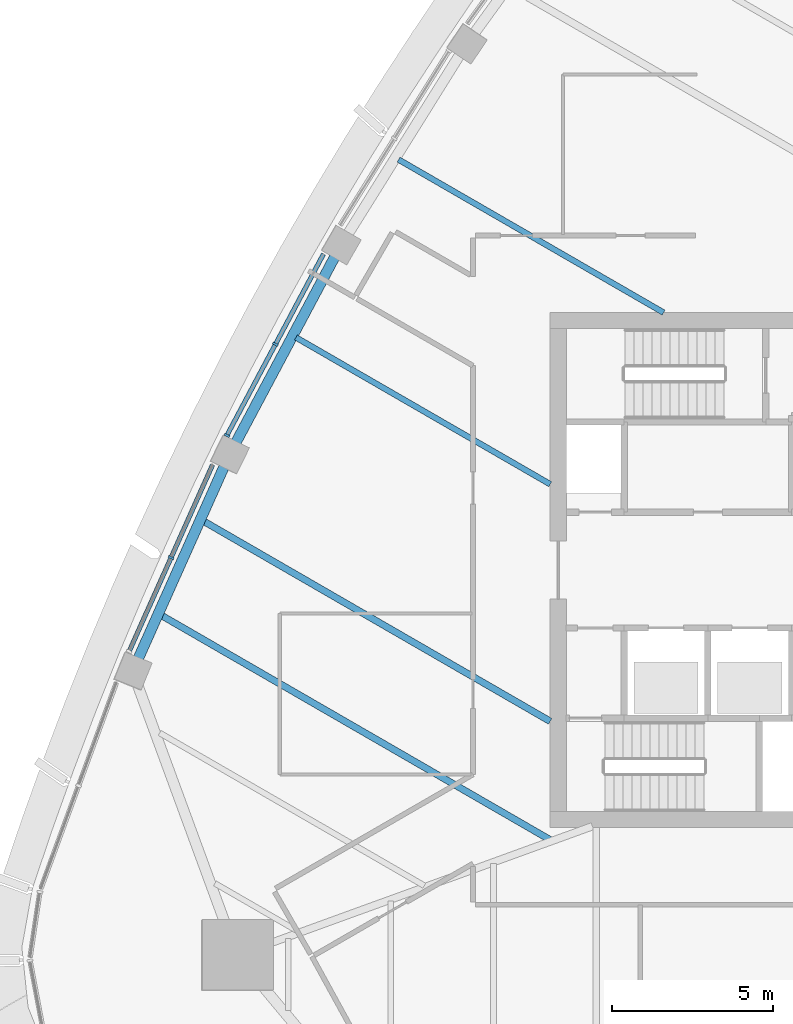
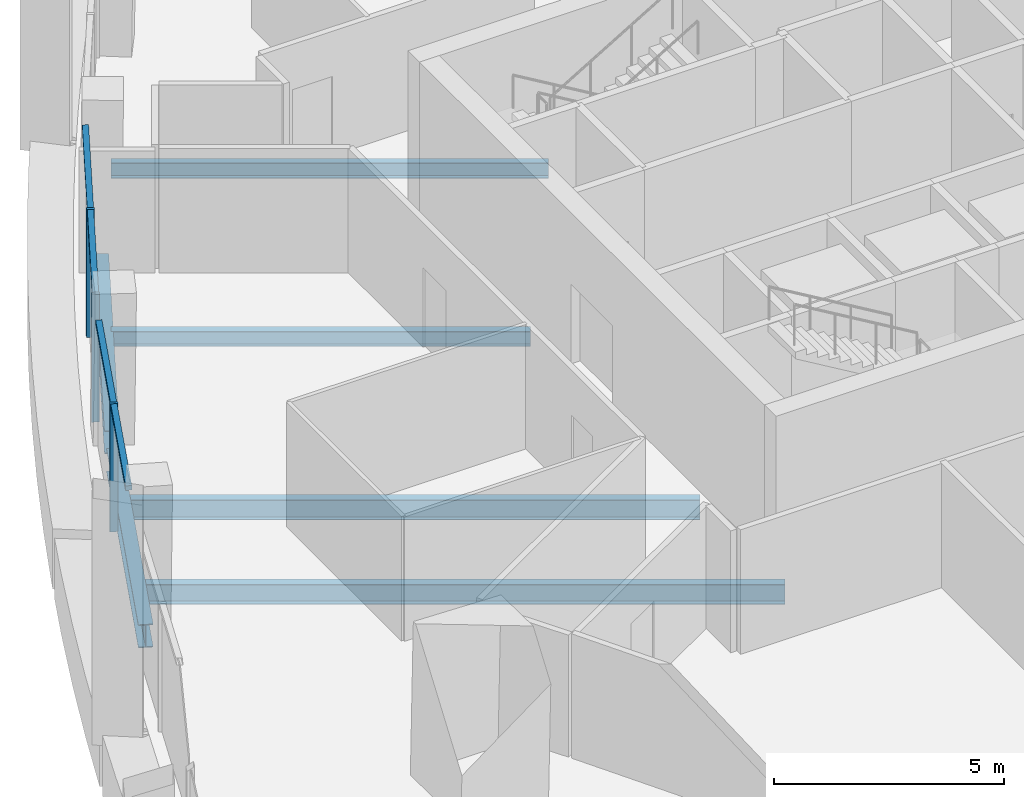
# One storey, part 3 of 18: 7 members, 6 beams, 2 elements without a shape of their own.
"""IFC4 building model written with IfcOpenShell, lengths in metres."""

from ifc_helpers import new_model, si_unit, direction, frame, origin, origin_2d, place, context, subcontext, project, spatial, rectangle, i_section, extrude, material, layer, layer_set, material_profile, profile_set, type_object, element, aggregate, save


model = new_model("IFC4")

# Units and contexts
model_context = context("Model", 3, precision=1e-05, world=origin(), true_north=direction((0.0, 1.0)))
body_context = subcontext(model_context, "Body", "Model", "MODEL_VIEW")
ifc_project = project(units=[si_unit("LENGTHUNIT", "METRE"), si_unit("AREAUNIT", "SQUARE_METRE"), si_unit("VOLUMEUNIT", "CUBIC_METRE"), si_unit("PLANEANGLEUNIT", "RADIAN"), si_unit("MASSUNIT", "GRAM", prefix="KILO")], contexts=[model_context])

# Site, building, storey
site_placement = place(None, origin())
site = spatial("IfcSite", under=ifc_project, at=site_placement, CompositionType="ELEMENT")
building_placement = place(site_placement, origin())
building = spatial("IfcBuilding", under=site, at=building_placement, Name="Sierra Prisma Convention Tower", CompositionType="ELEMENT")
storey_placement = place(building_placement, frame((0.0, 0.0, 287.0)))
storey = spatial("IfcBuildingStorey", under=building, at=storey_placement, Name="L65", CompositionType="ELEMENT", Elevation=287.0)

# Curtain wall, members
ifc_material_1 = material(Name="Aluminium and glass curtain wall", Category="aluminium")
ifc_layer = layer(ifc_material_1, 0.179931640625)
ifc_layer_set = layer_set([ifc_layer], Name="CW-1 Plain shaft curtain wall")
curtain_wall_type = type_object("IfcCurtainWallType", Name="CW-1 Plain shaft curtain wall", PredefinedType="NOTDEFINED", material=ifc_layer_set)
curtain_wall_1_placement = place(storey_placement, origin())
curtain_wall_1 = element("IfcCurtainWall", 1, at=curtain_wall_1_placement, inside=storey, type_object=curtain_wall_type, Name="CW-1 NW4 L65", PredefinedType="NOTDEFINED")
ifc_material_2 = material(Name="Aluminium 6063-T6 bronze anodised", Category="aluminium")
ifc_material_profile_1 = material_profile(ifc_material_2, rectangle(XDim=0.179931640625, YDim=0.070068359375, at=origin_2d()), Name="ALU MULLION 70x180")
ifc_profile_set_1 = profile_set([ifc_material_profile_1], Name="Aluminium 6063-T6 bronze anodised")
member_type_1 = type_object("IfcMemberType", Name="CW mullion bronze", PredefinedType="MULLION", material=ifc_profile_set_1)
member_1_placement = place(storey_placement, frame((-19.53564453125, 7.01513671875, 0.0), z_axis=(0.0, 0.0, 1.0), x_axis=(0.882706099782, -0.469925463673, 0.0)))
member_1 = element("IfcMember", 2, at=member_1_placement, type_object=member_type_1, Name="CW-1 mullion NW4.2", PredefinedType="MULLION", context=body_context, shape_type="SweptSolid", body=[
    extrude(rectangle(XDim=0.179931640625, YDim=0.070068359375, at=origin_2d()), origin(), (0.0, 0.0, 1.0), 3.39990234375),
])
member_2_placement = place(storey_placement, frame((-21.0439453125, 4.181884765625, 0.0), z_axis=(0.0, 0.0, 1.0), x_axis=(0.882706099782, -0.469925463673, 0.0)))
member_2 = element("IfcMember", 3, at=member_2_placement, type_object=member_type_1, Name="CW-1 mullion NW4.3", PredefinedType="MULLION", context=body_context, shape_type="SweptSolid", body=[
    extrude(rectangle(XDim=0.179931640625, YDim=0.070068359375, at=origin_2d()), origin(), (0.0, 0.0, 1.0), 3.39990234375),
])

# Curtain wall, member
curtain_wall_2_placement = place(storey_placement, origin())
curtain_wall_2 = element("IfcCurtainWall", 4, at=curtain_wall_2_placement, inside=storey, type_object=curtain_wall_type, Name="CW-1 NW5 L65", PredefinedType="NOTDEFINED")
member_3_placement = place(storey_placement, frame((-22.779052734375, 0.384521484375, 0.0), z_axis=(0.0, 0.0, 1.0), x_axis=(0.91291700653, -0.408145242761, 0.0)))
member_3 = element("IfcMember", 5, at=member_3_placement, type_object=member_type_1, Name="CW-1 mullion NW5.2", PredefinedType="MULLION", context=body_context, shape_type="SweptSolid", body=[
    extrude(rectangle(XDim=0.179931640625, YDim=0.070068359375, at=origin_2d()), origin(), (0.0, 0.0, 1.0), 3.39990234375),
])

# Member
ifc_material_3 = material(Name="Aluminium 6063-T6 bronze anodised", Category="aluminium")
ifc_material_profile_2 = material_profile(ifc_material_3, rectangle(XDim=0.139892578125, YDim=0.1201171875, at=origin_2d()), Name="ALU TRANSOM 120x140")
ifc_profile_set_2 = profile_set([ifc_material_profile_2], Name="Aluminium 6063-T6 bronze anodised")
member_type_2 = type_object("IfcMemberType", Name="CW transom bronze", PredefinedType="USERDEFINED", material=ifc_profile_set_2)
member_4_placement = place(storey_placement, frame((-18.043701171875, 9.8173828125, 3.340087890625), z_axis=(-0.469897946134, -0.882720748719, 0.0), x_axis=(0.882720748719, -0.469897946134, 0.0)))
member_4 = element("IfcMember", 6, at=member_4_placement, type_object=member_type_2, Name="CW-1 transom NW4.1", ObjectType="TRANSOM", PredefinedType="USERDEFINED", context=body_context, shape_type="SweptSolid", body=[
    extrude(rectangle(XDim=0.139892578125, YDim=0.1201171875, at=origin_2d()), origin(), (0.0, 0.0, 1.0), 3.1396484375),
])

member_5_placement = place(storey_placement, frame((-19.552001953125, 6.984130859375, 3.340087890625), z_axis=(-0.469897946134, -0.882720748719, 0.0), x_axis=(0.882720748719, -0.469897946134, 0.0)))
member_5 = element("IfcMember", 7, at=member_5_placement, type_object=member_type_2, Name="CW-1 transom NW4.2", ObjectType="TRANSOM", PredefinedType="USERDEFINED", context=body_context, shape_type="SweptSolid", body=[
    extrude(rectangle(XDim=0.139892578125, YDim=0.1201171875, at=origin_2d()), origin(), (0.0, 0.0, 1.0), 3.1396484375),
])

aggregate(curtain_wall_1, [member_1, member_2, member_4, member_5])

member_6_placement = place(storey_placement, frame((-21.48974609375, 3.268310546875, 3.340087890625), z_axis=(-0.408124410745, -0.912926319784, 0.0), x_axis=(0.912926319784, -0.408124410745, 0.0)))
member_6 = element("IfcMember", 8, at=member_6_placement, type_object=member_type_2, Name="CW-1 transom NW5.1", ObjectType="TRANSOM", PredefinedType="USERDEFINED", context=body_context, shape_type="SweptSolid", body=[
    extrude(rectangle(XDim=0.139892578125, YDim=0.1201171875, at=origin_2d()), origin(), (0.0, 0.0, 1.0), 3.123779296875),
])

member_7_placement = place(storey_placement, frame((-22.793212890625, 0.3525390625, 3.340087890625), z_axis=(-0.40818954454, -0.912897198883, 0.0), x_axis=(0.912897198883, -0.40818954454, 0.0)))
member_7 = element("IfcMember", 9, at=member_7_placement, type_object=member_type_2, Name="CW-1 transom NW5.2", ObjectType="TRANSOM", PredefinedType="USERDEFINED", context=body_context, shape_type="SweptSolid", body=[
    extrude(rectangle(XDim=0.139892578125, YDim=0.1201171875, at=origin_2d()), origin(), (0.0, 0.0, 1.0), 3.1240234375),
])

aggregate(curtain_wall_2, [member_3, member_6, member_7])

# Beams
ifc_material_4 = material(Name="Steel ASTM A992 Gr 50", Category="steel")
ifc_material_profile_3 = material_profile(ifc_material_4, i_section(OverallWidth=0.177978515625, OverallDepth=0.406982421875, WebThickness=0.0078125, FlangeThickness=0.0126953125, at=origin_2d()), Name="W410x60")
ifc_profile_set_3 = profile_set([ifc_material_profile_3], Name="Steel ASTM A992 Gr 50")
beam_type_1 = type_object("IfcBeamType", Name="Floor joist W410x60", PredefinedType="JOIST", material=ifc_profile_set_3)
beam_1_placement = place(storey_placement, frame((-15.708740234375, 12.752685546875, -0.353515625), z_axis=(0.866020054385, -0.500009265317, 0.0), x_axis=(0.500009265317, 0.866020054385, 0.0)))
element("IfcBeam", 10, at=beam_1_placement, inside=storey, type_object=beam_type_1, Name="Floor joist L65 NW06", PredefinedType="JOIST", context=body_context, shape_type="SweptSolid", body=[
    extrude(i_section(OverallWidth=0.177978515625, OverallDepth=0.406982421875, WebThickness=0.0078125, FlangeThickness=0.0126953125, at=origin_2d()), origin(), (0.0, 0.0, 1.0), 9.505126953125),
])
beam_2_placement = place(storey_placement, frame((-18.8984375, 7.227783203125, -0.353515625), z_axis=(0.866030456496, -0.499991248344, 0.0), x_axis=(0.499991248344, 0.866030456496, 0.0)))
element("IfcBeam", 11, at=beam_2_placement, inside=storey, type_object=beam_type_1, Name="Floor joist L65 NW08", PredefinedType="JOIST", context=body_context, shape_type="SweptSolid", body=[
    extrude(i_section(OverallWidth=0.177978515625, OverallDepth=0.406982421875, WebThickness=0.0078125, FlangeThickness=0.0126953125, at=origin_2d()), origin(), (0.0, 0.0, 1.0), 9.120361328125),
])
ifc_material_5 = material(Name="Steel ASTM A992 Gr 50", Category="steel")
ifc_material_profile_4 = material_profile(ifc_material_5, i_section(OverallWidth=0.208984375, OverallDepth=0.532958984375, WebThickness=0.01025390625, FlangeThickness=0.015625, at=origin_2d()), Name="W530x92")
ifc_profile_set_4 = profile_set([ifc_material_profile_4], Name="Steel ASTM A992 Gr 50")
beam_type_2 = type_object("IfcBeamType", Name="Floor joist W530x92", PredefinedType="JOIST", material=ifc_profile_set_4)
beam_3_placement = place(storey_placement, frame((-21.76611328125, 1.51708984375, -0.41650390625), z_axis=(0.866025337206, -0.500000115317, 0.0), x_axis=(0.500000115317, 0.866025337206, 0.0)))
element("IfcBeam", 12, at=beam_3_placement, inside=storey, type_object=beam_type_2, Name="Floor joist L65 NW10", PredefinedType="JOIST", context=body_context, shape_type="SweptSolid", body=[
    extrude(i_section(OverallWidth=0.208984375, OverallDepth=0.532958984375, WebThickness=0.01025390625, FlangeThickness=0.015625, at=origin_2d()), origin(), (0.0, 0.0, 1.0), 12.431640625),
])
beam_4_placement = place(storey_placement, frame((-23.074951171875, -1.410400390625, -0.41650390625), z_axis=(0.866024408476, -0.500001723921, 0.0), x_axis=(0.500001723921, 0.866024408476, 0.0)))
element("IfcBeam", 13, at=beam_4_placement, inside=storey, type_object=beam_type_2, Name="Floor joist L65 NW11", PredefinedType="JOIST", context=body_context, shape_type="SweptSolid", body=[
    extrude(i_section(OverallWidth=0.208984375, OverallDepth=0.532958984375, WebThickness=0.01025390625, FlangeThickness=0.015625, at=origin_2d()), origin(), (0.0, 0.0, 1.0), 13.94921875),
])
ifc_material_6 = material(Name="Steel ASTM A992 Gr 50", Category="steel")
ifc_material_profile_5 = material_profile(ifc_material_6, i_section(OverallWidth=0.324951171875, OverallDepth=0.615966796875, WebThickness=0.013916015625, FlangeThickness=0.021484375, at=origin_2d()), Name="W610x174")
ifc_profile_set_5 = profile_set([ifc_material_profile_5], Name="Steel ASTM A992 Gr 50")
beam_type_3 = type_object("IfcBeamType", Name="Spandrel beam W610x174", PredefinedType="BEAM", material=ifc_profile_set_5)
beam_5_placement = place(storey_placement, frame((-17.6513671875, 9.809814453125, -0.4580078125), z_axis=(-0.469937247473, -0.88269982635, 0.0), x_axis=(0.88269982635, -0.469937247473, 0.0)))
element("IfcBeam", 14, at=beam_5_placement, inside=storey, type_object=beam_type_3, Name="Spandrel L65-16", PredefinedType="BEAM", context=body_context, shape_type="SweptSolid", body=[
    extrude(i_section(OverallWidth=0.324951171875, OverallDepth=0.615966796875, WebThickness=0.013916015625, FlangeThickness=0.021484375, at=origin_2d()), origin(), (0.0, 0.0, 1.0), 6.716796875),
])
beam_6_placement = place(storey_placement, frame((-21.097900390625, 3.287841796875, -0.4580078125), z_axis=(-0.408137312487, -0.912920551941, 0.0), x_axis=(0.912920551941, -0.408137312487, 0.0)))
element("IfcBeam", 15, at=beam_6_placement, inside=storey, type_object=beam_type_3, Name="Spandrel L65-17", PredefinedType="BEAM", context=body_context, shape_type="SweptSolid", body=[
    extrude(i_section(OverallWidth=0.324951171875, OverallDepth=0.615966796875, WebThickness=0.013916015625, FlangeThickness=0.021484375, at=origin_2d()), origin(), (0.0, 0.0, 1.0), 6.717041015625),
])

save(model, "model.ifc")
